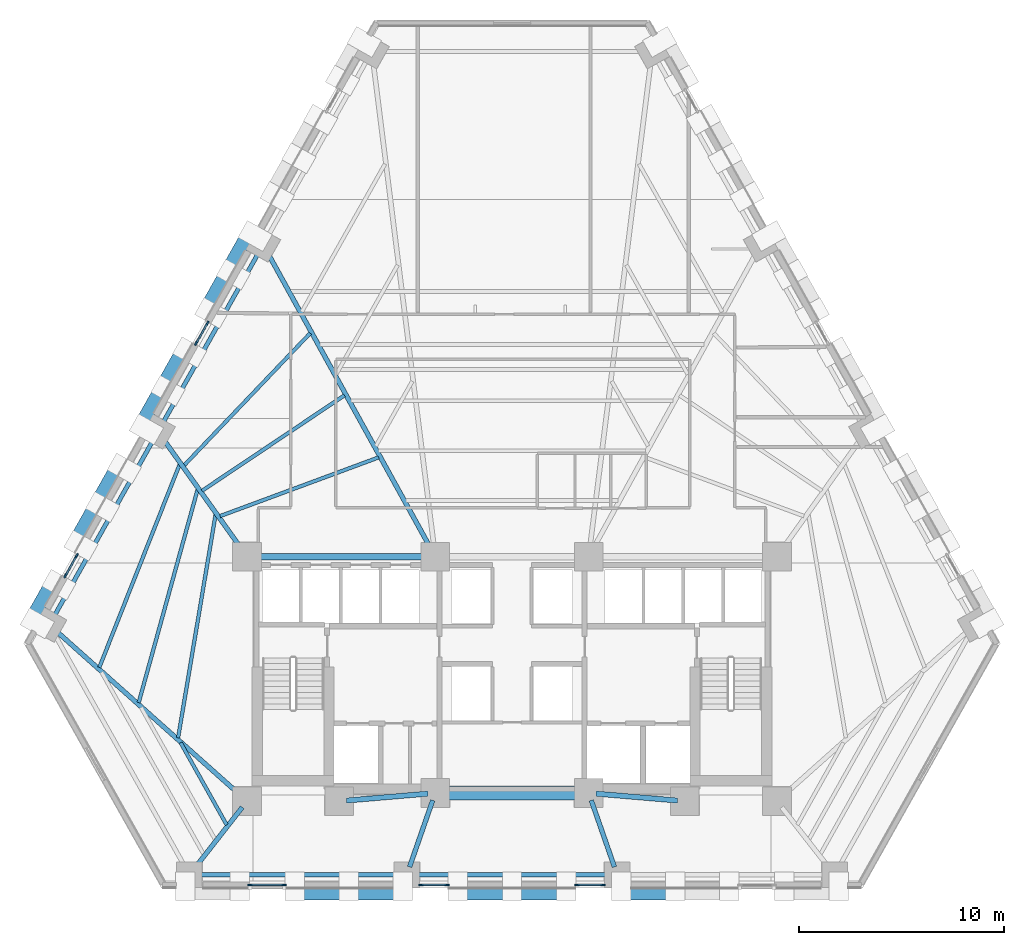
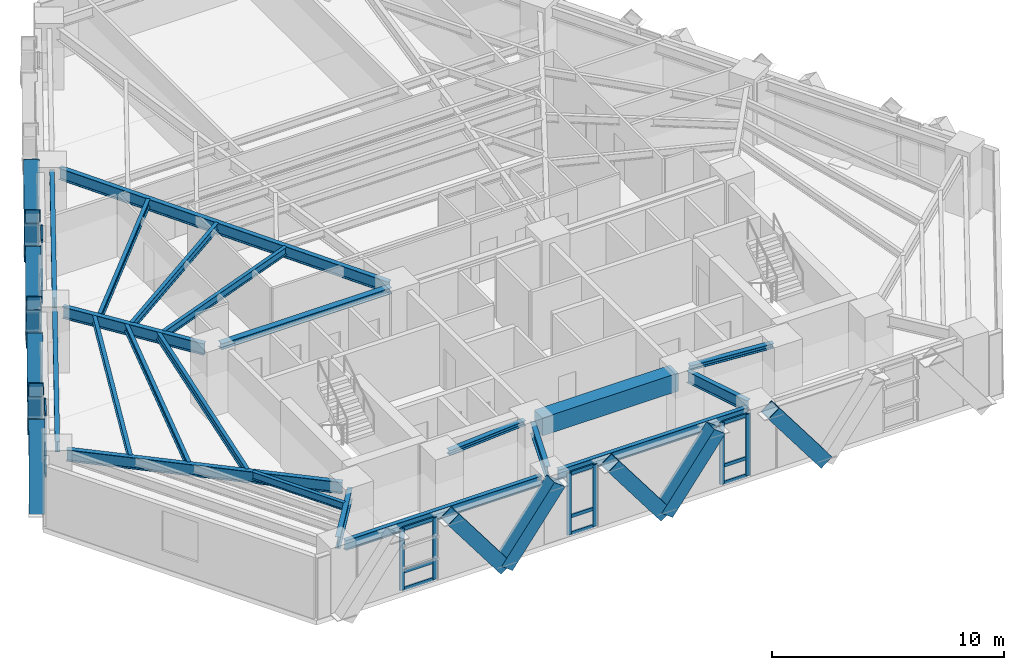
# One storey, part 2 of 13: 37 members, 21 beams, 5 elements without a shape of their own.
"""IFC4 building model written with IfcOpenShell, lengths in metres."""

from ifc_helpers import new_model, si_unit, direction, frame, origin, origin_2d, place, context, subcontext, project, spatial, rectangle, hollow_rectangle, i_section, extrude, material, material_profile, profile_set, type_object, element, aggregate, save


model = new_model("IFC4")

# Units and contexts
model_context = context("Model", 3, precision=1e-05, world=origin(), true_north=direction((0.0, 1.0)))
body_context = subcontext(model_context, "Body", "Model", "MODEL_VIEW")
ifc_project = project(units=[si_unit("LENGTHUNIT", "METRE"), si_unit("AREAUNIT", "SQUARE_METRE"), si_unit("VOLUMEUNIT", "CUBIC_METRE"), si_unit("PLANEANGLEUNIT", "RADIAN"), si_unit("MASSUNIT", "GRAM", prefix="KILO")], contexts=[model_context])

# Site, building, storey
site_placement = place(None, origin())
site = spatial("IfcSite", under=ifc_project, at=site_placement, CompositionType="ELEMENT")
building_placement = place(site_placement, origin())
building = spatial("IfcBuilding", under=site, at=building_placement, Name="Quenlor Broadcast Tower", CompositionType="ELEMENT")
storey_placement = place(building_placement, frame((0.0, 0.0, 69.60009765625)))
storey = spatial("IfcBuildingStorey", under=building, at=storey_placement, Name="L18", CompositionType="ELEMENT", Elevation=69.60009765625)

# Curtain wall, members
ifc_material_1 = material(Name="Architectural Terracotta and Low-E Glazing", Category="masonry")
curtain_wall_type = type_object("IfcCurtainWallType", Name="Unitised Terracotta Curtain Wall System Z1", PredefinedType="NOTDEFINED", material=ifc_material_1)
curtain_wall_1_placement = place(storey_placement, origin())
curtain_wall_1 = element("IfcCurtainWall", 1, at=curtain_wall_1_placement, inside=storey, type_object=curtain_wall_type, Name="L18 Curtain Wall CW1 (L18-SC-G1)", PredefinedType="NOTDEFINED")
ifc_material_2 = material(Name="Aluminium 6063-T6", Category="aluminium")
ifc_material_profile_1 = material_profile(ifc_material_2, rectangle(XDim=0.080078125, YDim=0.219970703125, at=origin_2d()))
ifc_profile_set_1 = profile_set([ifc_material_profile_1], Name="Aluminium 6063-T6 MULL80x220")
member_type_1 = type_object("IfcMemberType", Name="CW1 Aluminium Mullion MULL_CW1", PredefinedType="MULLION", material=ifc_profile_set_1)
member_1_placement = place(storey_placement, frame((-11.146484375, -20.840087890625, 0.0), z_axis=(0.0, 0.0, 1.0), x_axis=(0.0, -1.0, 0.0)))
member_1 = element("IfcMember", 2, at=member_1_placement, type_object=member_type_1, Name="CW1 mullion 1", PredefinedType="MULLION", context=body_context, shape_type="SweptSolid", body=[
    extrude(rectangle(XDim=0.080078125, YDim=0.219970703125, at=origin_2d()), origin(), (0.0, 0.0, 1.0), 3.25),
])
member_2_placement = place(storey_placement, frame((-12.794921875, -20.840087890625, 0.0), z_axis=(0.0, 0.0, 1.0), x_axis=(0.0, -1.0, 0.0)))
member_2 = element("IfcMember", 3, at=member_2_placement, type_object=member_type_1, Name="CW1 mullion 2", PredefinedType="MULLION", context=body_context, shape_type="SweptSolid", body=[
    extrude(rectangle(XDim=0.080078125, YDim=0.219970703125, at=origin_2d()), origin(), (0.0, 0.0, 1.0), 3.25),
])

curtain_wall_2_placement = place(storey_placement, origin())
curtain_wall_2 = element("IfcCurtainWall", 4, at=curtain_wall_2_placement, inside=storey, type_object=curtain_wall_type, Name="L18 Curtain Wall CW1 (L18-S-G1)", PredefinedType="NOTDEFINED")
member_3_placement = place(storey_placement, frame((4.455810546875, -20.840087890625, 0.0), z_axis=(0.0, 0.0, 1.0), x_axis=(0.0, -1.0, 0.0)))
member_3 = element("IfcMember", 5, at=member_3_placement, type_object=member_type_1, Name="CW1 mullion 1", PredefinedType="MULLION", context=body_context, shape_type="SweptSolid", body=[
    extrude(rectangle(XDim=0.080078125, YDim=0.219970703125, at=origin_2d()), origin(), (0.0, 0.0, 1.0), 3.25),
])
member_4_placement = place(storey_placement, frame((3.166015625, -20.840087890625, 0.0), z_axis=(0.0, 0.0, 1.0), x_axis=(0.0, -1.0, 0.0)))
member_4 = element("IfcMember", 6, at=member_4_placement, type_object=member_type_1, Name="CW1 mullion 2", PredefinedType="MULLION", context=body_context, shape_type="SweptSolid", body=[
    extrude(rectangle(XDim=0.080078125, YDim=0.219970703125, at=origin_2d()), origin(), (0.0, 0.0, 1.0), 3.25),
])

curtain_wall_3_placement = place(storey_placement, origin())
curtain_wall_3 = element("IfcCurtainWall", 7, at=curtain_wall_3_placement, inside=storey, type_object=curtain_wall_type, Name="L18 Curtain Wall CW1 (L18-S-G2)", PredefinedType="NOTDEFINED")
member_5_placement = place(storey_placement, frame((-3.166015625, -20.840087890625, 0.0), z_axis=(0.0, 0.0, 1.0), x_axis=(0.0, -1.0, 0.0)))
member_5 = element("IfcMember", 8, at=member_5_placement, type_object=member_type_1, Name="CW1 mullion 1", PredefinedType="MULLION", context=body_context, shape_type="SweptSolid", body=[
    extrude(rectangle(XDim=0.080078125, YDim=0.219970703125, at=origin_2d()), origin(), (0.0, 0.0, 1.0), 3.25),
])
member_6_placement = place(storey_placement, frame((-4.455810546875, -20.840087890625, 0.0), z_axis=(0.0, 0.0, 1.0), x_axis=(0.0, -1.0, 0.0)))
member_6 = element("IfcMember", 9, at=member_6_placement, type_object=member_type_1, Name="CW1 mullion 2", PredefinedType="MULLION", context=body_context, shape_type="SweptSolid", body=[
    extrude(rectangle(XDim=0.080078125, YDim=0.219970703125, at=origin_2d()), origin(), (0.0, 0.0, 1.0), 3.25),
])

curtain_wall_4_placement = place(storey_placement, origin())
curtain_wall_4 = element("IfcCurtainWall", 10, at=curtain_wall_4_placement, inside=storey, type_object=curtain_wall_type, Name="L18 Curtain Wall CW1 (L18-NWA-G1)", PredefinedType="NOTDEFINED")
member_7_placement = place(storey_placement, frame((-21.830810546875, -5.73681640625, 0.0), z_axis=(0.0, 0.0, 1.0), x_axis=(-0.871566703483, 0.490276943553, 0.0)))
member_7 = element("IfcMember", 11, at=member_7_placement, type_object=member_type_1, Name="CW1 mullion 1", PredefinedType="MULLION", context=body_context, shape_type="SweptSolid", body=[
    extrude(rectangle(XDim=0.080078125, YDim=0.219970703125, at=origin_2d()), origin(), (0.0, 0.0, 1.0), 3.25),
])
member_8_placement = place(storey_placement, frame((-21.277099609375, -4.75244140625, 0.0), z_axis=(0.0, 0.0, 1.0), x_axis=(-0.871566703483, 0.490276943553, 0.0)))
member_8 = element("IfcMember", 12, at=member_8_placement, type_object=member_type_1, Name="CW1 mullion 2", PredefinedType="MULLION", context=body_context, shape_type="SweptSolid", body=[
    extrude(rectangle(XDim=0.080078125, YDim=0.219970703125, at=origin_2d()), origin(), (0.0, 0.0, 1.0), 3.25),
])

curtain_wall_5_placement = place(storey_placement, origin())
curtain_wall_5 = element("IfcCurtainWall", 13, at=curtain_wall_5_placement, inside=storey, type_object=curtain_wall_type, Name="L18 Curtain Wall CW1 (L18-NW-G1)", PredefinedType="NOTDEFINED")
member_9_placement = place(storey_placement, frame((-15.4375, 5.62939453125, 0.0), z_axis=(0.0, 0.0, 1.0), x_axis=(-0.871566703483, 0.490276943553, 0.0)))
member_9 = element("IfcMember", 14, at=member_9_placement, type_object=member_type_1, Name="CW1 mullion 1", PredefinedType="MULLION", context=body_context, shape_type="SweptSolid", body=[
    extrude(rectangle(XDim=0.080078125, YDim=0.219970703125, at=origin_2d()), origin(), (0.0, 0.0, 1.0), 3.25),
])
member_10_placement = place(storey_placement, frame((-14.8837890625, 6.61376953125, 0.0), z_axis=(0.0, 0.0, 1.0), x_axis=(-0.871566703483, 0.490276943553, 0.0)))
member_10 = element("IfcMember", 15, at=member_10_placement, type_object=member_type_1, Name="CW1 mullion 2", PredefinedType="MULLION", context=body_context, shape_type="SweptSolid", body=[
    extrude(rectangle(XDim=0.080078125, YDim=0.219970703125, at=origin_2d()), origin(), (0.0, 0.0, 1.0), 3.25),
])

# Member
ifc_material_3 = material(Name="Aluminium 6063-T6", Category="aluminium")
ifc_material_profile_2 = material_profile(ifc_material_3, rectangle(XDim=0.080078125, YDim=0.179931640625, at=origin_2d()))
ifc_profile_set_2 = profile_set([ifc_material_profile_2], Name="Aluminium 6063-T6 TRAN80x180")
member_type_2 = type_object("IfcMemberType", Name="CW1 Aluminium Transom TRAN_CW1", PredefinedType="USERDEFINED", material=ifc_profile_set_2)
member_11_placement = place(storey_placement, frame((-11.1865234375, -20.840087890625, 0.039794921875), z_axis=(-1.0, 0.0, 0.0), x_axis=(0.0, -1.0, 0.0)))
member_11 = element("IfcMember", 16, at=member_11_placement, type_object=member_type_2, Name="CW1 transom 1.1", ObjectType="TRANSOM", PredefinedType="USERDEFINED", context=body_context, shape_type="SweptSolid", body=[
    extrude(rectangle(XDim=0.080078125, YDim=0.179931640625, at=origin_2d()), origin(), (0.0, 0.0, 1.0), 1.568359375),
])

member_12_placement = place(storey_placement, frame((-11.1865234375, -20.840087890625, 0.949951171875), z_axis=(-1.0, 0.0, 0.0), x_axis=(0.0, -1.0, 0.0)))
member_12 = element("IfcMember", 17, at=member_12_placement, type_object=member_type_2, Name="CW1 transom 1.2", ObjectType="TRANSOM", PredefinedType="USERDEFINED", context=body_context, shape_type="SweptSolid", body=[
    extrude(rectangle(XDim=0.080078125, YDim=0.179931640625, at=origin_2d()), origin(), (0.0, 0.0, 1.0), 1.568359375),
])

member_13_placement = place(storey_placement, frame((-11.1865234375, -20.840087890625, 3.2099609375), z_axis=(-1.0, 0.0, 0.0), x_axis=(0.0, -1.0, 0.0)))
member_13 = element("IfcMember", 18, at=member_13_placement, type_object=member_type_2, Name="CW1 transom 1.3", ObjectType="TRANSOM", PredefinedType="USERDEFINED", context=body_context, shape_type="SweptSolid", body=[
    extrude(rectangle(XDim=0.080078125, YDim=0.179931640625, at=origin_2d()), origin(), (0.0, 0.0, 1.0), 1.568359375),
])

aggregate(curtain_wall_1, [member_1, member_2, member_11, member_12, member_13])

member_14_placement = place(storey_placement, frame((4.415771484375, -20.840087890625, 0.039794921875), z_axis=(-1.0, 0.0, 0.0), x_axis=(0.0, -1.0, 0.0)))
member_14 = element("IfcMember", 19, at=member_14_placement, type_object=member_type_2, Name="CW1 transom 1.1", ObjectType="TRANSOM", PredefinedType="USERDEFINED", context=body_context, shape_type="SweptSolid", body=[
    extrude(rectangle(XDim=0.080078125, YDim=0.179931640625, at=origin_2d()), origin(), (0.0, 0.0, 1.0), 1.209716796875),
])

member_15_placement = place(storey_placement, frame((4.415771484375, -20.840087890625, 0.949951171875), z_axis=(-1.0, 0.0, 0.0), x_axis=(0.0, -1.0, 0.0)))
member_15 = element("IfcMember", 20, at=member_15_placement, type_object=member_type_2, Name="CW1 transom 1.2", ObjectType="TRANSOM", PredefinedType="USERDEFINED", context=body_context, shape_type="SweptSolid", body=[
    extrude(rectangle(XDim=0.080078125, YDim=0.179931640625, at=origin_2d()), origin(), (0.0, 0.0, 1.0), 1.209716796875),
])

member_16_placement = place(storey_placement, frame((4.415771484375, -20.840087890625, 3.2099609375), z_axis=(-1.0, 0.0, 0.0), x_axis=(0.0, -1.0, 0.0)))
member_16 = element("IfcMember", 21, at=member_16_placement, type_object=member_type_2, Name="CW1 transom 1.3", ObjectType="TRANSOM", PredefinedType="USERDEFINED", context=body_context, shape_type="SweptSolid", body=[
    extrude(rectangle(XDim=0.080078125, YDim=0.179931640625, at=origin_2d()), origin(), (0.0, 0.0, 1.0), 1.209716796875),
])

aggregate(curtain_wall_2, [member_3, member_4, member_14, member_15, member_16])

member_17_placement = place(storey_placement, frame((-3.2060546875, -20.840087890625, 0.039794921875), z_axis=(-1.0, 0.0, 0.0), x_axis=(0.0, -1.0, 0.0)))
member_17 = element("IfcMember", 22, at=member_17_placement, type_object=member_type_2, Name="CW1 transom 1.1", ObjectType="TRANSOM", PredefinedType="USERDEFINED", context=body_context, shape_type="SweptSolid", body=[
    extrude(rectangle(XDim=0.080078125, YDim=0.179931640625, at=origin_2d()), origin(), (0.0, 0.0, 1.0), 1.209716796875),
])

member_18_placement = place(storey_placement, frame((-3.2060546875, -20.840087890625, 0.949951171875), z_axis=(-1.0, 0.0, 0.0), x_axis=(0.0, -1.0, 0.0)))
member_18 = element("IfcMember", 23, at=member_18_placement, type_object=member_type_2, Name="CW1 transom 1.2", ObjectType="TRANSOM", PredefinedType="USERDEFINED", context=body_context, shape_type="SweptSolid", body=[
    extrude(rectangle(XDim=0.080078125, YDim=0.179931640625, at=origin_2d()), origin(), (0.0, 0.0, 1.0), 1.209716796875),
])

member_19_placement = place(storey_placement, frame((-3.2060546875, -20.840087890625, 3.2099609375), z_axis=(-1.0, 0.0, 0.0), x_axis=(0.0, -1.0, 0.0)))
member_19 = element("IfcMember", 24, at=member_19_placement, type_object=member_type_2, Name="CW1 transom 1.3", ObjectType="TRANSOM", PredefinedType="USERDEFINED", context=body_context, shape_type="SweptSolid", body=[
    extrude(rectangle(XDim=0.080078125, YDim=0.179931640625, at=origin_2d()), origin(), (0.0, 0.0, 1.0), 1.209716796875),
])

aggregate(curtain_wall_3, [member_5, member_6, member_17, member_18, member_19])

member_20_placement = place(storey_placement, frame((-21.811279296875, -5.701904296875, 0.039794921875), z_axis=(0.490239146026, 0.87158796441, 0.0), x_axis=(-0.87158796441, 0.490239146026, 0.0)))
member_20 = element("IfcMember", 25, at=member_20_placement, type_object=member_type_2, Name="CW1 transom 1.1", ObjectType="TRANSOM", PredefinedType="USERDEFINED", context=body_context, shape_type="SweptSolid", body=[
    extrude(rectangle(XDim=0.080078125, YDim=0.179931640625, at=origin_2d()), origin(), (0.0, 0.0, 1.0), 1.04931640625),
])

member_21_placement = place(storey_placement, frame((-21.811279296875, -5.701904296875, 0.949951171875), z_axis=(0.490239146026, 0.87158796441, 0.0), x_axis=(-0.87158796441, 0.490239146026, 0.0)))
member_21 = element("IfcMember", 26, at=member_21_placement, type_object=member_type_2, Name="CW1 transom 1.2", ObjectType="TRANSOM", PredefinedType="USERDEFINED", context=body_context, shape_type="SweptSolid", body=[
    extrude(rectangle(XDim=0.080078125, YDim=0.179931640625, at=origin_2d()), origin(), (0.0, 0.0, 1.0), 1.04931640625),
])

member_22_placement = place(storey_placement, frame((-21.811279296875, -5.701904296875, 3.2099609375), z_axis=(0.490239146026, 0.87158796441, 0.0), x_axis=(-0.87158796441, 0.490239146026, 0.0)))
member_22 = element("IfcMember", 27, at=member_22_placement, type_object=member_type_2, Name="CW1 transom 1.3", ObjectType="TRANSOM", PredefinedType="USERDEFINED", context=body_context, shape_type="SweptSolid", body=[
    extrude(rectangle(XDim=0.080078125, YDim=0.179931640625, at=origin_2d()), origin(), (0.0, 0.0, 1.0), 1.04931640625),
])

aggregate(curtain_wall_4, [member_7, member_8, member_20, member_21, member_22])

member_23_placement = place(storey_placement, frame((-15.417724609375, 5.664306640625, 0.039794921875), z_axis=(0.490239146026, 0.87158796441, 0.0), x_axis=(-0.87158796441, 0.490239146026, 0.0)))
member_23 = element("IfcMember", 28, at=member_23_placement, type_object=member_type_2, Name="CW1 transom 1.1", ObjectType="TRANSOM", PredefinedType="USERDEFINED", context=body_context, shape_type="SweptSolid", body=[
    extrude(rectangle(XDim=0.080078125, YDim=0.179931640625, at=origin_2d()), origin(), (0.0, 0.0, 1.0), 1.04931640625),
])

member_24_placement = place(storey_placement, frame((-15.417724609375, 5.664306640625, 0.949951171875), z_axis=(0.490239146026, 0.87158796441, 0.0), x_axis=(-0.87158796441, 0.490239146026, 0.0)))
member_24 = element("IfcMember", 29, at=member_24_placement, type_object=member_type_2, Name="CW1 transom 1.2", ObjectType="TRANSOM", PredefinedType="USERDEFINED", context=body_context, shape_type="SweptSolid", body=[
    extrude(rectangle(XDim=0.080078125, YDim=0.179931640625, at=origin_2d()), origin(), (0.0, 0.0, 1.0), 1.04931640625),
])

member_25_placement = place(storey_placement, frame((-15.417724609375, 5.664306640625, 3.2099609375), z_axis=(0.490239146026, 0.87158796441, 0.0), x_axis=(-0.87158796441, 0.490239146026, 0.0)))
member_25 = element("IfcMember", 30, at=member_25_placement, type_object=member_type_2, Name="CW1 transom 1.3", ObjectType="TRANSOM", PredefinedType="USERDEFINED", context=body_context, shape_type="SweptSolid", body=[
    extrude(rectangle(XDim=0.080078125, YDim=0.179931640625, at=origin_2d()), origin(), (0.0, 0.0, 1.0), 1.04931640625),
])

aggregate(curtain_wall_5, [member_9, member_10, member_23, member_24, member_25])

# Beams
ifc_material_4 = material(Name="Concrete C50/60", Category="concrete")
ifc_material_profile_3 = material_profile(ifc_material_4, rectangle(XDim=0.699951171875, YDim=0.949951171875, at=origin_2d()))
ifc_profile_set_3 = profile_set([ifc_material_profile_3], Name="Concrete C50/60 RCB700x950")
beam_type_1 = type_object("IfcBeamType", Name="Core Coupling Beam Concrete C50/60 700x950", PredefinedType="BEAM", material=ifc_profile_set_3)
beam_1_placement = place(storey_placement, frame((-3.389892578125, -16.35009765625, 2.77490234375), z_axis=(1.0, 0.0, 0.0), x_axis=(0.0, 1.0, 0.0)))
element("IfcBeam", 31, at=beam_1_placement, inside=storey, type_object=beam_type_1, Name="L18 Core Coupling Beam 6", PredefinedType="BEAM", context=body_context, shape_type="SweptSolid", body=[
    extrude(rectangle(XDim=0.699951171875, YDim=0.949951171875, at=origin_2d()), origin(), (0.0, 0.0, 1.0), 6.77978515625),
])
ifc_material_5 = material(Name="Steel S355", Category="steel")
ifc_material_profile_4 = material_profile(ifc_material_5, i_section(OverallWidth=0.25390625, OverallDepth=0.25390625, WebThickness=0.008544921875, FlangeThickness=0.01416015625, FilletRadius=0.013916015625, at=origin_2d()))
ifc_profile_set_4 = profile_set([ifc_material_profile_4], Name="Steel S355 250UC72.9")
beam_type_2 = type_object("IfcBeamType", Name="Core Opening Lintel Beam Steel S355 250UC72.9", PredefinedType="LINTEL", material=ifc_profile_set_4)
for number, where, z_axis, x_axis, name in (
    (32, (-8.09130859375, -16.719482421875, 3.123046875), (0.996399763903, 0.084779186679, 0.0), (-0.084779186679, 0.996399763903, 0.0), "L18 Core Opening Lintel Beam 4"),
    (33, (4.108642578125, -16.380615234375, 3.123046875), (0.996399763903, -0.084779186679, 0.0), (0.084779186679, 0.996399763903, 0.0), "L18 Core Opening Lintel Beam 5"),
):
    element("IfcBeam", number, at=place(storey_placement, frame(where, z_axis=z_axis, x_axis=x_axis)), inside=storey, type_object=beam_type_2, Name=name, PredefinedType="LINTEL", context=body_context, shape_type="SweptSolid", body=[
        extrude(i_section(OverallWidth=0.25390625, OverallDepth=0.25390625, WebThickness=0.008544921875, FlangeThickness=0.01416015625, FilletRadius=0.013916015625, at=origin_2d()), origin(), (0.0, 0.0, 1.0), 3.9970703125),
    ])
ifc_material_6 = material(Name="Steel S355", Category="steel")
ifc_material_profile_5 = material_profile(ifc_material_6, i_section(OverallWidth=0.306884765625, OverallDepth=0.314697265625, WebThickness=0.011962890625, FlangeThickness=0.018798828125, FilletRadius=0.0166015625, at=origin_2d()))
ifc_profile_set_5 = profile_set([ifc_material_profile_5], Name="Steel S355 310UC118")
beam_type_3 = type_object("IfcBeamType", Name="Core Tie Beam Steel S355 310UC118", PredefinedType="BEAM", material=ifc_profile_set_5)
beam_2_placement = place(storey_placement, frame((-12.590087890625, -4.800048828125, 3.092529296875), z_axis=(1.0, 0.0, 0.0), x_axis=(0.0, 1.0, 0.0)))
element("IfcBeam", 34, at=beam_2_placement, inside=storey, type_object=beam_type_3, Name="L18 Core Tie Beam 1", PredefinedType="BEAM", context=body_context, shape_type="SweptSolid", body=[
    extrude(i_section(OverallWidth=0.306884765625, OverallDepth=0.314697265625, WebThickness=0.011962890625, FlangeThickness=0.018798828125, FilletRadius=0.0166015625, at=origin_2d()), origin(), (0.0, 0.0, 1.0), 8.47998046875),
])

# Members
ifc_material_7 = material(Name="Steel S355", Category="steel")
ifc_material_profile_6 = material_profile(ifc_material_7, hollow_rectangle(XDim=0.679931640625, YDim=0.679931640625, WallThickness=0.034912109375, at=origin_2d()))
ifc_profile_set_6 = profile_set([ifc_material_profile_6], Name="Steel S355 RHS680x680x35")
member_type_3 = type_object("IfcMemberType", Name="Perimeter Diagonal Lattice Brace Z1 Steel S355 RHS680x35", PredefinedType="BRACE", material=ifc_profile_set_6)
for number, where, z_axis, x_axis, name in (
    (35, (7.964599609375, -21.235107421875, -0.1201171875), (-0.60049964856, 0.0, 0.799625019668), (0.0, -1.0, 0.0), "L18 Perimeter Diamond Lattice S-C2S"),
    (36, (0.01611328125, -21.235107421875, -0.1201171875), (0.600463982679, 0.0, 0.799651802665), (0.0, 1.0, 0.0), "L18 Perimeter Diamond Lattice S-C2B"),
    (37, (-0.01611328125, -21.235107421875, -0.1201171875), (-0.600463982679, 0.0, 0.799651802665), (0.0, -1.0, 0.0), "L18 Perimeter Diamond Lattice S-C3S"),
    (38, (-7.964599609375, -21.235107421875, -0.1201171875), (0.60049964856, 0.0, 0.799625019668), (0.0, 1.0, 0.0), "L18 Perimeter Diamond Lattice S-C3B"),
    (39, (-7.99658203125, -21.235107421875, -0.1201171875), (-0.600463982679, 0.0, 0.799651802665), (0.0, -1.0, 0.0), "L18 Perimeter Diamond Lattice S-C4S"),
):
    element("IfcMember", number, at=place(storey_placement, frame(where, z_axis=z_axis, x_axis=x_axis)), inside=storey, type_object=member_type_3, Name=name, PredefinedType="BRACE", context=body_context, shape_type="SweptSolid", body=[
        extrude(hollow_rectangle(XDim=0.679931640625, YDim=0.679931640625, WallThickness=0.034912109375, at=origin_2d()), origin(), (0.0, 0.0, 1.0), 4.376953125),
    ])
member_26_placement = place(storey_placement, frame((-23.490234375, -7.88134765625, -0.1201171875), z_axis=(0.256368393635, 0.455838699906, 0.852341672343), x_axis=(-0.871608931644, 0.490201866865, 0.0)))
element("IfcMember", 40, at=member_26_placement, inside=storey, type_object=member_type_3, Name="L18 Perimeter Diamond Lattice NW-C1S", PredefinedType="BRACE", context=body_context, shape_type="SweptSolid", body=[
    extrude(hollow_rectangle(XDim=0.679931640625, YDim=0.679931640625, WallThickness=0.034912109375, at=origin_2d()), origin(), (0.0, 0.0, 1.0), 4.1064453125),
])
for number, where, z_axis, x_axis, name in (
    (41, (-20.306396484375, -2.220947265625, -0.1201171875), (-0.256375341489, -0.45579159737, 0.852364771705), (0.871581609758, -0.490250443683, 0.0), "L18 Perimeter Diamond Lattice NW-C1B"),
    (42, (-20.29345703125, -2.197998046875, -0.1201171875), (0.256375341489, 0.45579159737, 0.852364771705), (-0.871581609758, 0.490250443683, 0.0), "L18 Perimeter Diamond Lattice NW-C2S"),
    (43, (-17.109619140625, 3.46240234375, -0.1201171875), (-0.256375341489, -0.45579159737, 0.852364771705), (0.871581609758, -0.490250443683, 0.0), "L18 Perimeter Diamond Lattice NW-C2B"),
    (44, (-17.0966796875, 3.485107421875, -0.1201171875), (0.256375341489, 0.45579159737, 0.852364771705), (-0.871581609758, 0.490250443683, 0.0), "L18 Perimeter Diamond Lattice NW-C3S"),
):
    element("IfcMember", number, at=place(storey_placement, frame(where, z_axis=z_axis, x_axis=x_axis)), inside=storey, type_object=member_type_3, Name=name, PredefinedType="BRACE", context=body_context, shape_type="SweptSolid", body=[
        extrude(hollow_rectangle(XDim=0.679931640625, YDim=0.679931640625, WallThickness=0.034912109375, at=origin_2d()), origin(), (0.0, 0.0, 1.0), 4.106201171875),
    ])
member_27_placement = place(storey_placement, frame((-13.912841796875, 9.1455078125, -0.1201171875), z_axis=(-0.256368393635, -0.455838699906, 0.852341672343), x_axis=(0.871608931644, -0.490201866865, 0.0)))
element("IfcMember", 45, at=member_27_placement, inside=storey, type_object=member_type_3, Name="L18 Perimeter Diamond Lattice NW-C3B", PredefinedType="BRACE", context=body_context, shape_type="SweptSolid", body=[
    extrude(hollow_rectangle(XDim=0.679931640625, YDim=0.679931640625, WallThickness=0.034912109375, at=origin_2d()), origin(), (0.0, 0.0, 1.0), 4.1064453125),
])
member_28_placement = place(storey_placement, frame((-13.89990234375, 9.168212890625, -0.1201171875), z_axis=(0.256375341489, 0.45579159737, 0.852364771705), x_axis=(-0.871581609758, 0.490250443683, 0.0)))
element("IfcMember", 46, at=member_28_placement, inside=storey, type_object=member_type_3, Name="L18 Perimeter Diamond Lattice NW-C4S", PredefinedType="BRACE", context=body_context, shape_type="SweptSolid", body=[
    extrude(hollow_rectangle(XDim=0.679931640625, YDim=0.679931640625, WallThickness=0.034912109375, at=origin_2d()), origin(), (0.0, 0.0, 1.0), 4.106201171875),
])

# Beams
ifc_material_8 = material(Name="Steel S355", Category="steel")
ifc_material_profile_7 = material_profile(ifc_material_8, i_section(OverallWidth=0.208984375, OverallDepth=0.532958984375, WebThickness=0.01025390625, FlangeThickness=0.015625, FilletRadius=0.013916015625, at=origin_2d()))
ifc_profile_set_7 = profile_set([ifc_material_profile_7], Name="Steel S355 530UB92.4")
beam_type_4 = type_object("IfcBeamType", Name="Perimeter Spandrel Beam Z1 Steel S355 530UB92.4", PredefinedType="SPANDREL", material=ifc_profile_set_7)
beam_3_placement = place(storey_placement, frame((-15.35498046875, -20.35009765625, 2.9833984375), z_axis=(1.0, 0.0, 0.0), x_axis=(0.0, 1.0, 0.0)))
element("IfcBeam", 47, at=beam_3_placement, inside=storey, type_object=beam_type_4, Name="L18 Spandrel Beam S1-S2", PredefinedType="SPANDREL", context=body_context, shape_type="SweptSolid", body=[
    extrude(i_section(OverallWidth=0.208984375, OverallDepth=0.532958984375, WebThickness=0.01025390625, FlangeThickness=0.015625, FilletRadius=0.013916015625, at=origin_2d()), origin(), (0.0, 0.0, 1.0), 9.80419921875),
])
beam_4_placement = place(storey_placement, frame((-4.730712890625, -20.35009765625, 2.9833984375), z_axis=(1.0, 0.0, 0.0), x_axis=(0.0, 1.0, 0.0)))
element("IfcBeam", 48, at=beam_4_placement, inside=storey, type_object=beam_type_4, Name="L18 Spandrel Beam S2-S3", PredefinedType="SPANDREL", context=body_context, shape_type="SweptSolid", body=[
    extrude(i_section(OverallWidth=0.208984375, OverallDepth=0.532958984375, WebThickness=0.01025390625, FlangeThickness=0.015625, FilletRadius=0.013916015625, at=origin_2d()), origin(), (0.0, 0.0, 1.0), 9.46142578125),
])
beam_5_placement = place(storey_placement, frame((-12.364013671875, 10.093505859375, 2.9833984375), z_axis=(-0.490257642051, -0.871577560755, 0.0), x_axis=(0.871577560755, -0.490257642051, 0.0)))
element("IfcBeam", 49, at=beam_5_placement, inside=storey, type_object=beam_type_4, Name="L18 Spandrel Beam NW2-NW3", PredefinedType="SPANDREL", context=body_context, shape_type="SweptSolid", body=[
    extrude(i_section(OverallWidth=0.208984375, OverallDepth=0.532958984375, WebThickness=0.01025390625, FlangeThickness=0.015625, FilletRadius=0.013916015625, at=origin_2d()), origin(), (0.0, 0.0, 1.0), 9.665771484375),
])
beam_6_placement = place(storey_placement, frame((-17.5048828125, 0.954345703125, 2.9833984375), z_axis=(-0.490257767622, -0.871577490121, 0.0), x_axis=(0.871577490121, -0.490257767622, 0.0)))
element("IfcBeam", 50, at=beam_6_placement, inside=storey, type_object=beam_type_4, Name="L18 Spandrel Beam NW3-NW4", PredefinedType="SPANDREL", context=body_context, shape_type="SweptSolid", body=[
    extrude(i_section(OverallWidth=0.208984375, OverallDepth=0.532958984375, WebThickness=0.01025390625, FlangeThickness=0.015625, FilletRadius=0.013916015625, at=origin_2d()), origin(), (0.0, 0.0, 1.0), 10.015380859375),
])
ifc_material_9 = material(Name="Steel S355", Category="steel")
ifc_material_profile_8 = material_profile(ifc_material_9, i_section(OverallWidth=0.177978515625, OverallDepth=0.406494140625, WebThickness=0.0078125, FlangeThickness=0.0126953125, FilletRadius=0.011474609375, at=origin_2d()))
ifc_profile_set_8 = profile_set([ifc_material_profile_8], Name="Steel S355 410UB59.7")
beam_type_5 = type_object("IfcBeamType", Name="Tower Composite Joist Z1 Steel S355 410UB59.7", PredefinedType="JOIST", material=ifc_profile_set_8)
beam_7_placement = place(storey_placement, frame((-14.268310546875, -2.81640625, 3.046630859375), z_axis=(0.937824633945, 0.347109429383, 0.0), x_axis=(-0.347109429383, 0.937824633945, 0.0)))
element("IfcBeam", 51, at=beam_7_placement, inside=storey, type_object=beam_type_5, Name="L18 Secondary Composite Joist 7", PredefinedType="JOIST", context=body_context, shape_type="SweptSolid", body=[
    extrude(i_section(OverallWidth=0.177978515625, OverallDepth=0.406494140625, WebThickness=0.0078125, FlangeThickness=0.0126953125, FilletRadius=0.011474609375, at=origin_2d()), origin(), (0.0, 0.0, 1.0), 8.26513671875),
])
beam_8_placement = place(storey_placement, frame((-15.147705078125, -1.577392578125, 3.046630859375), z_axis=(0.830625844363, 0.556830949819, 0.0), x_axis=(-0.556830949819, 0.830625844363, 0.0)))
element("IfcBeam", 52, at=beam_8_placement, inside=storey, type_object=beam_type_5, Name="L18 Secondary Composite Joist 8", PredefinedType="JOIST", context=body_context, shape_type="SweptSolid", body=[
    extrude(i_section(OverallWidth=0.177978515625, OverallDepth=0.406494140625, WebThickness=0.0078125, FlangeThickness=0.0126953125, FilletRadius=0.011474609375, at=origin_2d()), origin(), (0.0, 0.0, 1.0), 8.374755859375),
])
beam_9_placement = place(storey_placement, frame((-16.029541015625, -0.341796875, 3.046630859375), z_axis=(0.690241086162, 0.723579465556, 0.0), x_axis=(-0.723579465556, 0.690241086162, 0.0)))
element("IfcBeam", 53, at=beam_9_placement, inside=storey, type_object=beam_type_5, Name="L18 Secondary Composite Joist 9", PredefinedType="JOIST", context=body_context, shape_type="SweptSolid", body=[
    extrude(i_section(OverallWidth=0.177978515625, OverallDepth=0.406494140625, WebThickness=0.0078125, FlangeThickness=0.0126953125, FilletRadius=0.011474609375, at=origin_2d()), origin(), (0.0, 0.0, 1.0), 8.93408203125),
])
beam_10_placement = place(storey_placement, frame((-16.31982421875, -13.65478515625, 3.046630859375), z_axis=(0.16559360599, 0.986194077074, 0.0), x_axis=(-0.986194077074, 0.16559360599, 0.0)))
element("IfcBeam", 54, at=beam_10_placement, inside=storey, type_object=beam_type_5, Name="L18 Secondary Composite Joist 13", PredefinedType="JOIST", context=body_context, shape_type="SweptSolid", body=[
    extrude(i_section(OverallWidth=0.177978515625, OverallDepth=0.406494140625, WebThickness=0.0078125, FlangeThickness=0.0126953125, FilletRadius=0.011474609375, at=origin_2d()), origin(), (0.0, 0.0, 1.0), 11.06787109375),
])
beam_11_placement = place(storey_placement, frame((-18.2451171875, -11.93310546875, 3.046630859375), z_axis=(0.266390054368, 0.963865311615, 0.0), x_axis=(-0.963865311615, 0.266390054368, 0.0)))
element("IfcBeam", 55, at=beam_11_placement, inside=storey, type_object=beam_type_5, Name="L18 Secondary Composite Joist 14", PredefinedType="JOIST", context=body_context, shape_type="SweptSolid", body=[
    extrude(i_section(OverallWidth=0.177978515625, OverallDepth=0.406494140625, WebThickness=0.0078125, FlangeThickness=0.0126953125, FilletRadius=0.011474609375, at=origin_2d()), origin(), (0.0, 0.0, 1.0), 10.80810546875),
])
beam_12_placement = place(storey_placement, frame((-20.170166015625, -10.212158203125, 3.046630859375), z_axis=(0.367884833597, 0.929871361646, 0.0), x_axis=(-0.929871361646, 0.367884833597, 0.0)))
element("IfcBeam", 56, at=beam_12_placement, inside=storey, type_object=beam_type_5, Name="L18 Secondary Composite Joist 15", PredefinedType="JOIST", context=body_context, shape_type="SweptSolid", body=[
    extrude(i_section(OverallWidth=0.177978515625, OverallDepth=0.406494140625, WebThickness=0.0078125, FlangeThickness=0.0126953125, FilletRadius=0.011474609375, at=origin_2d()), origin(), (0.0, 0.0, 1.0), 10.669921875),
])
beam_13_placement = place(storey_placement, frame((-13.9462890625, -17.904296875, 3.046630859375), z_axis=(-0.489062021968, 0.872249011848, 0.0), x_axis=(-0.872249011848, -0.489062021968, 0.0)))
element("IfcBeam", 57, at=beam_13_placement, inside=storey, type_object=beam_type_5, Name="L18 Secondary Composite Joist 19", PredefinedType="JOIST", context=body_context, shape_type="SweptSolid", body=[
    extrude(i_section(OverallWidth=0.177978515625, OverallDepth=0.406494140625, WebThickness=0.0078125, FlangeThickness=0.0126953125, FilletRadius=0.011474609375, at=origin_2d()), origin(), (0.0, 0.0, 1.0), 4.6025390625),
])
ifc_material_10 = material(Name="Steel S355", Category="steel")
ifc_material_profile_9 = material_profile(ifc_material_10, i_section(OverallWidth=0.22900390625, OverallDepth=0.611572265625, WebThickness=0.011962890625, FlangeThickness=0.01953125, FilletRadius=0.013916015625, at=origin_2d()))
ifc_profile_set_9 = profile_set([ifc_material_profile_9], Name="Steel S355 610UB125")
beam_type_6 = type_object("IfcBeamType", Name="Tower Primary Floor Beam Z1 Steel S355 610UB125", PredefinedType="BEAM", material=ifc_profile_set_9)
beam_14_placement = place(storey_placement, frame((-15.512451171875, -20.027099609375, 2.944091796875), z_axis=(0.615968610193, 0.78777069713, 0.0), x_axis=(-0.78777069713, 0.615968610193, 0.0)))
element("IfcBeam", 58, at=beam_14_placement, inside=storey, type_object=beam_type_6, Name="L18 Primary Radial Beam S1", PredefinedType="BEAM", context=body_context, shape_type="SweptSolid", body=[
    extrude(i_section(OverallWidth=0.22900390625, OverallDepth=0.611572265625, WebThickness=0.011962890625, FlangeThickness=0.01953125, FilletRadius=0.013916015625, at=origin_2d()), origin(), (0.0, 0.0, 1.0), 3.780029296875),
])
for number, where, z_axis, x_axis, name in (
    (59, (-5.006103515625, -19.962646484375, 2.944091796875), (0.328427161327, 0.944529300606, 0.0), (-0.944529300606, 0.328427161327, 0.0), "L18 Primary Radial Beam S2"),
    (60, (5.006103515625, -19.962646484375, 2.944091796875), (-0.328427161327, 0.944529300606, 0.0), (-0.944529300606, -0.328427161327, 0.0), "L18 Primary Radial Beam S3"),
):
    element("IfcBeam", number, at=place(storey_placement, frame(where, z_axis=z_axis, x_axis=x_axis)), inside=storey, type_object=beam_type_6, Name=name, PredefinedType="BEAM", context=body_context, shape_type="SweptSolid", body=[
        extrude(i_section(OverallWidth=0.22900390625, OverallDepth=0.611572265625, WebThickness=0.011962890625, FlangeThickness=0.01953125, FilletRadius=0.013916015625, at=origin_2d()), origin(), (0.0, 0.0, 1.0), 3.44482421875),
    ])
beam_15_placement = place(storey_placement, frame((-11.965087890625, 10.091796875, 2.944091796875), z_axis=(0.483026493693, -0.875605736842, 0.0), x_axis=(0.875605736842, 0.483026493693, 0.0)))
element("IfcBeam", 61, at=beam_15_placement, inside=storey, type_object=beam_type_6, Name="L18 Primary Radial Beam NW2", PredefinedType="BEAM", context=body_context, shape_type="SweptSolid", body=[
    extrude(i_section(OverallWidth=0.22900390625, OverallDepth=0.611572265625, WebThickness=0.011962890625, FlangeThickness=0.01953125, FilletRadius=0.013916015625, at=origin_2d()), origin(), (0.0, 0.0, 1.0), 16.62744140625),
])
beam_16_placement = place(storey_placement, frame((-17.06591796875, 0.977783203125, 2.944091796875), z_axis=(0.580212680853, -0.814465005373, 0.0), x_axis=(0.814465005373, 0.580212680853, 0.0)))
element("IfcBeam", 62, at=beam_16_placement, inside=storey, type_object=beam_type_6, Name="L18 Primary Radial Beam NW3", PredefinedType="BEAM", context=body_context, shape_type="SweptSolid", body=[
    extrude(i_section(OverallWidth=0.22900390625, OverallDepth=0.611572265625, WebThickness=0.011962890625, FlangeThickness=0.01953125, FilletRadius=0.013916015625, at=origin_2d()), origin(), (0.0, 0.0, 1.0), 6.7138671875),
])
beam_17_placement = place(storey_placement, frame((-22.31005859375, -8.40478515625, 2.944091796875), z_axis=(0.746413754585, -0.665482161268, 0.0), x_axis=(0.665482161268, 0.746413754585, 0.0)))
element("IfcBeam", 63, at=beam_17_placement, inside=storey, type_object=beam_type_6, Name="L18 Primary Radial Beam NW4", PredefinedType="BEAM", context=body_context, shape_type="SweptSolid", body=[
    extrude(i_section(OverallWidth=0.22900390625, OverallDepth=0.611572265625, WebThickness=0.011962890625, FlangeThickness=0.01953125, FilletRadius=0.013916015625, at=origin_2d()), origin(), (0.0, 0.0, 1.0), 12.159912109375),
])

save(model, "model.ifc")
